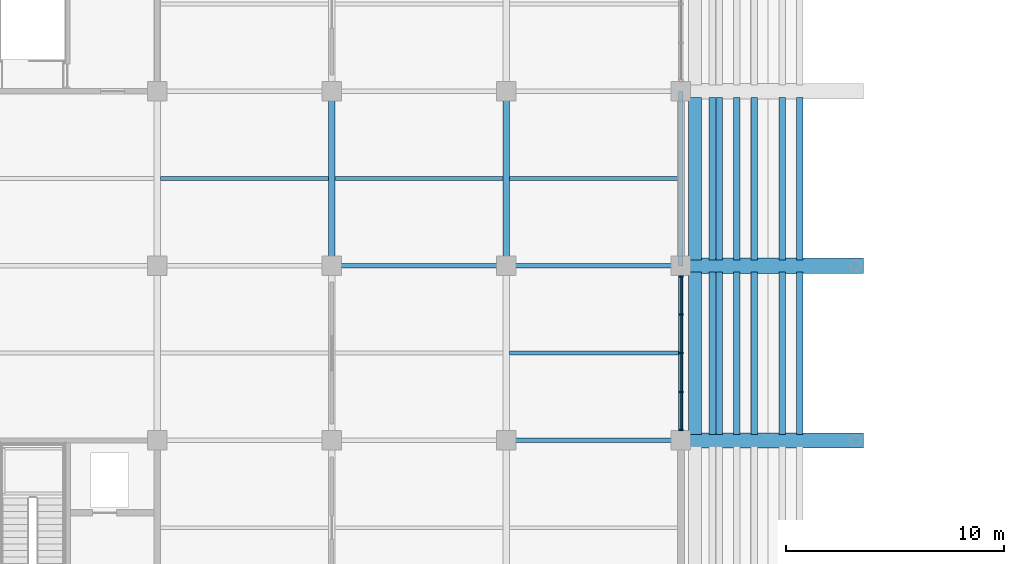
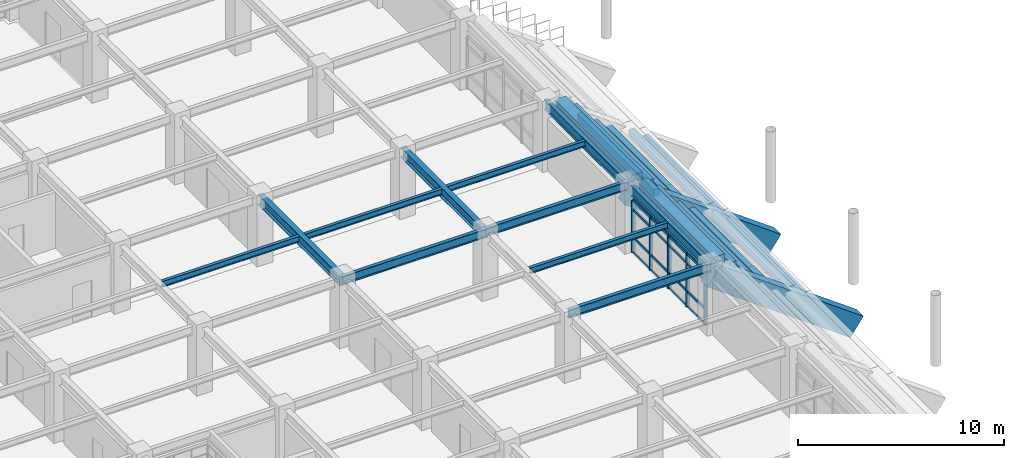
# One storey, part 32 of 118: 27 beams, 21 members, 1 element without a shape of its own.
"""IFC4 building model written with IfcOpenShell, lengths in metres."""

from ifc_helpers import new_model, si_unit, direction, frame, origin, origin_2d, place, context, subcontext, project, spatial, rectangle, i_section, extrude, material, layer, layer_set, material_profile, profile_set, type_object, element, aggregate, save


model = new_model("IFC4")

# Units and contexts
model_context = context("Model", 3, precision=1e-05, world=origin(), true_north=direction((0.0, 1.0)))
body_context = subcontext(model_context, "Body", "Model", "MODEL_VIEW")
ifc_project = project(units=[si_unit("LENGTHUNIT", "METRE"), si_unit("AREAUNIT", "SQUARE_METRE"), si_unit("VOLUMEUNIT", "CUBIC_METRE"), si_unit("PLANEANGLEUNIT", "RADIAN"), si_unit("MASSUNIT", "GRAM", prefix="KILO")], contexts=[model_context])

# Site, building, storey
site_placement = place(None, origin())
site = spatial("IfcSite", under=ifc_project, at=site_placement, CompositionType="ELEMENT")
building_placement = place(site_placement, origin())
building = spatial("IfcBuilding", under=site, at=building_placement, Name="Haebicheon Civic Stadium", CompositionType="ELEMENT")
storey_placement = place(building_placement, frame((0.0, 0.0, 14.39990234375)))
storey = spatial("IfcBuildingStorey", under=building, at=storey_placement, Name="L04", CompositionType="ELEMENT", Elevation=14.39990234375)

# Beams
ifc_material_1 = material(Name="Precast concrete C40/50", Category="concrete")
ifc_material_profile_1 = material_profile(ifc_material_1, rectangle(XDim=0.300048828125, YDim=0.39990234375, at=origin_2d()), Name="PC-LN-300x400")
ifc_profile_set_1 = profile_set([ifc_material_profile_1], Name="Precast concrete C40/50")
beam_type_1 = type_object("IfcBeamType", Name="BM-LN-300x400", PredefinedType="LINTEL", material=ifc_profile_set_1)
for number, where, z_axis, x_axis, name in (
    (1, (69.43994140625, 112.280029296875, -0.10693359375), (0.0, 1.0, 0.0), (-1.0, 0.0, 0.0), "TIER-W-U precast step carrier beam 9.4"),
    (2, (68.639892578125, 112.280029296875, 0.5380859375), (0.0, 1.0, 0.0), (-1.0, 0.0, 0.0), "TIER-W-U precast step carrier beam 9.5"),
    (3, (67.360107421875, 112.280029296875, 1.18212890625), (0.0, 1.0, 0.0), (-1.0, 0.0, 0.0), "TIER-W-U precast step carrier beam 9.6"),
    (4, (66.56005859375, 112.280029296875, 1.8271484375), (0.0, 1.0, 0.0), (-1.0, 0.0, 0.0), "TIER-W-U precast step carrier beam 9.7"),
    (5, (65.760009765625, 112.280029296875, 2.47119140625), (0.0, 1.0, 0.0), (-1.0, 0.0, 0.0), "TIER-W-U precast step carrier beam 9.8"),
    (6, (65.43994140625, 112.280029296875, 3.1162109375), (0.0, 1.0, 0.0), (-1.0, 0.0, 0.0), "TIER-W-U precast step carrier beam 9.9"),
    (7, (69.43994140625, 120.280029296875, -0.10693359375), (0.0, 1.0, 0.0), (-1.0, 0.0, 0.0), "TIER-W-U precast step carrier beam 10.4"),
    (8, (68.639892578125, 120.280029296875, 0.5380859375), (0.0, 1.0, 0.0), (-1.0, 0.0, 0.0), "TIER-W-U precast step carrier beam 10.5"),
    (9, (67.360107421875, 120.280029296875, 1.18212890625), (0.0, 1.0, 0.0), (-1.0, 0.0, 0.0), "TIER-W-U precast step carrier beam 10.6"),
    (10, (66.56005859375, 120.280029296875, 1.8271484375), (0.0, 1.0, 0.0), (-1.0, 0.0, 0.0), "TIER-W-U precast step carrier beam 10.7"),
    (11, (65.760009765625, 120.280029296875, 2.47119140625), (0.0, 1.0, 0.0), (-1.0, 0.0, 0.0), "TIER-W-U precast step carrier beam 10.8"),
    (12, (65.43994140625, 120.280029296875, 3.1162109375), (0.0, 1.0, 0.0), (-1.0, 0.0, 0.0), "TIER-W-U precast step carrier beam 10.9"),
):
    element("IfcBeam", number, at=place(storey_placement, frame(where, z_axis=z_axis, x_axis=x_axis)), inside=storey, type_object=beam_type_1, material=ifc_profile_set_1, Name=name, PredefinedType="LINTEL", context=body_context, shape_type="SweptSolid", body=[
        extrude(rectangle(XDim=0.300048828125, YDim=0.39990234375, at=origin_2d()), origin(), (0.0, 0.0, 1.0), 7.43994140625),
    ])
ifc_material_2 = material(Name="Steel SM355 (S355)", Category="steel")
ifc_material_profile_2 = material_profile(ifc_material_2, i_section(OverallWidth=0.199951171875, OverallDepth=0.5, WebThickness=0.010009765625, FlangeThickness=0.01611328125, at=origin_2d()), Name="H-500x200x10x16")
ifc_profile_set_2 = profile_set([ifc_material_profile_2], Name="Steel SM355 (S355)")
beam_type_2 = type_object("IfcBeamType", Name="BM-ST-H500", PredefinedType="BEAM", material=ifc_profile_set_2)
for number, where, z_axis, x_axis, name in (
    (13, (48.0, 120.0, 3.690185546875), (1.0, 0.0, 0.0), (0.0, 1.0, 0.0), "L04 beam R/7-8"),
    (14, (56.0, 112.0, 3.72998046875), (1.0, 0.0, 0.0), (0.0, 1.0, 0.0), "L04 beam Q/8-9"),
    (15, (56.0, 120.0, 3.72998046875), (1.0, 0.0, 0.0), (0.0, 1.0, 0.0), "L04 beam R/8-9"),
):
    element("IfcBeam", number, at=place(storey_placement, frame(where, z_axis=z_axis, x_axis=x_axis)), inside=storey, type_object=beam_type_2, material=ifc_profile_set_2, Name=name, PredefinedType="BEAM", context=body_context, shape_type="SweptSolid", body=[
        extrude(i_section(OverallWidth=0.199951171875, OverallDepth=0.5, WebThickness=0.010009765625, FlangeThickness=0.01611328125, at=origin_2d()), origin(), (0.0, 0.0, 1.0), 8.0),
    ])
ifc_material_3 = material(Name="Steel SM355 (S355)", Category="steel")
ifc_material_profile_3 = material_profile(ifc_material_3, i_section(OverallWidth=0.300048828125, OverallDepth=0.60009765625, WebThickness=0.011962890625, FlangeThickness=0.02001953125, at=origin_2d()), Name="H-600x300x12x20")
ifc_profile_set_3 = profile_set([ifc_material_profile_3], Name="Steel SM355 (S355)")
beam_type_3 = type_object("IfcBeamType", Name="BM-ST-H600A", PredefinedType="BEAM", material=ifc_profile_set_3)
for number, where, z_axis, x_axis, name in (
    (16, (48.0, 120.0, 3.64013671875), (0.0, 1.0, 0.0), (-1.0, 0.0, 0.0), "L04 girder 7/R-S"),
    (17, (56.0, 120.0, 3.64013671875), (0.0, 1.0, 0.0), (-1.0, 0.0, 0.0), "L04 girder 8/R-S"),
):
    element("IfcBeam", number, at=place(storey_placement, frame(where, z_axis=z_axis, x_axis=x_axis)), inside=storey, type_object=beam_type_3, material=ifc_profile_set_3, Name=name, PredefinedType="BEAM", context=body_context, shape_type="SweptSolid", body=[
        extrude(i_section(OverallWidth=0.300048828125, OverallDepth=0.60009765625, WebThickness=0.011962890625, FlangeThickness=0.02001953125, at=origin_2d()), origin(), (0.0, 0.0, 1.0), 8.0),
    ])
ifc_material_4 = material(Name="Precast concrete C40/50", Category="concrete")
ifc_material_profile_4 = material_profile(ifc_material_4, rectangle(XDim=0.60009765625, YDim=0.85009765625, at=origin_2d()), Name="PC-TB-600x850")
ifc_profile_set_4 = profile_set([ifc_material_profile_4], Name="Precast concrete C40/50")
beam_type_4 = type_object("IfcBeamType", Name="BM-TB-600x850", PredefinedType="T_BEAM", material=ifc_profile_set_4)
for number, where, z_axis, x_axis, name in (
    (18, (64.639892578125, 112.280029296875, 3.53515625), (0.0, 1.0, 0.0), (-1.0, 0.0, 0.0), "TIER-W-U upper tier bench carrier beam 9"),
    (19, (64.639892578125, 120.280029296875, 3.53515625), (0.0, 1.0, 0.0), (-1.0, 0.0, 0.0), "TIER-W-U upper tier bench carrier beam 10"),
):
    element("IfcBeam", number, at=place(storey_placement, frame(where, z_axis=z_axis, x_axis=x_axis)), inside=storey, type_object=beam_type_4, material=ifc_profile_set_4, Name=name, PredefinedType="T_BEAM", context=body_context, shape_type="SweptSolid", body=[
        extrude(rectangle(XDim=0.60009765625, YDim=0.85009765625, at=origin_2d()), origin(), (0.0, 0.0, 1.0), 7.43994140625),
    ])

# Curtain wall, members
ifc_material_5 = material(Name="Anodised aluminium and laminated glass", Category="aluminium")
ifc_layer = layer(ifc_material_5, 0.179931640625, Name="Anodised aluminium and laminated glass")
ifc_layer_set = layer_set([ifc_layer], Name="Anodised aluminium and laminated glass")
curtain_wall_type = type_object("IfcCurtainWallType", Name="CW-7100x3100", PredefinedType="NOTDEFINED", material=ifc_layer_set)
curtain_wall_placement = place(storey_placement, origin())
curtain_wall = element("IfcCurtainWall", 20, at=curtain_wall_placement, inside=storey, type_object=curtain_wall_type, material=ifc_layer_set, Name="L04 unitised curtain wall 121", PredefinedType="NOTDEFINED")
ifc_material_6 = material(Name="Anodised aluminium 6063-T6", Category="aluminium")
ifc_material_profile_5 = material_profile(ifc_material_6, rectangle(XDim=0.070068359375, YDim=0.199951171875, at=origin_2d()), Name="ALU-MULL-70x200")
ifc_profile_set_5 = profile_set([ifc_material_profile_5], Name="Anodised aluminium 6063-T6")
member_type_1 = type_object("IfcMemberType", Name="CWM-200x70", PredefinedType="MULLION", material=ifc_profile_set_5)
member_1_placement = place(storey_placement, frame((64.0, 112.485107421875, 0.0), z_axis=(0.0, 0.0, 1.0), x_axis=(0.0, 1.0, 0.0)))
member_1 = element("IfcMember", 21, at=member_1_placement, type_object=member_type_1, material=ifc_profile_set_5, Name="CW-L04-121 vertical mullion 1", PredefinedType="MULLION", context=body_context, shape_type="SweptSolid", body=[
    extrude(rectangle(XDim=0.070068359375, YDim=0.199951171875, at=origin_2d()), origin(), (0.0, 0.0, 1.0), 3.10009765625),
])
member_2_placement = place(storey_placement, frame((64.0, 114.22509765625, 0.0), z_axis=(0.0, 0.0, 1.0), x_axis=(0.0, 1.0, 0.0)))
member_2 = element("IfcMember", 22, at=member_2_placement, type_object=member_type_1, material=ifc_profile_set_5, Name="CW-L04-121 vertical mullion 2", PredefinedType="MULLION", context=body_context, shape_type="SweptSolid", body=[
    extrude(rectangle(XDim=0.070068359375, YDim=0.199951171875, at=origin_2d()), origin(), (0.0, 0.0, 1.0), 3.10009765625),
])
member_3_placement = place(storey_placement, frame((64.0, 116.0, 0.0), z_axis=(0.0, 0.0, 1.0), x_axis=(0.0, 1.0, 0.0)))
member_3 = element("IfcMember", 23, at=member_3_placement, type_object=member_type_1, material=ifc_profile_set_5, Name="CW-L04-121 vertical mullion 3", PredefinedType="MULLION", context=body_context, shape_type="SweptSolid", body=[
    extrude(rectangle(XDim=0.070068359375, YDim=0.199951171875, at=origin_2d()), origin(), (0.0, 0.0, 1.0), 3.10009765625),
])
member_4_placement = place(storey_placement, frame((64.0, 117.77490234375, 0.0), z_axis=(0.0, 0.0, 1.0), x_axis=(0.0, 1.0, 0.0)))
member_4 = element("IfcMember", 24, at=member_4_placement, type_object=member_type_1, material=ifc_profile_set_5, Name="CW-L04-121 vertical mullion 4", PredefinedType="MULLION", context=body_context, shape_type="SweptSolid", body=[
    extrude(rectangle(XDim=0.070068359375, YDim=0.199951171875, at=origin_2d()), origin(), (0.0, 0.0, 1.0), 3.10009765625),
])
member_5_placement = place(storey_placement, frame((64.0, 119.514892578125, 0.0), z_axis=(0.0, 0.0, 1.0), x_axis=(0.0, 1.0, 0.0)))
member_5 = element("IfcMember", 25, at=member_5_placement, type_object=member_type_1, material=ifc_profile_set_5, Name="CW-L04-121 vertical mullion 5", PredefinedType="MULLION", context=body_context, shape_type="SweptSolid", body=[
    extrude(rectangle(XDim=0.070068359375, YDim=0.199951171875, at=origin_2d()), origin(), (0.0, 0.0, 1.0), 3.10009765625),
])
ifc_material_7 = material(Name="Anodised aluminium 6063-T6", Category="aluminium")
ifc_material_profile_6 = material_profile(ifc_material_7, rectangle(XDim=0.070068359375, YDim=0.14990234375, at=origin_2d()), Name="ALU-TRAN-70x150")
ifc_profile_set_6 = profile_set([ifc_material_profile_6], Name="Anodised aluminium 6063-T6")
member_type_2 = type_object("IfcMemberType", Name="CWT-150x70", PredefinedType="NOTDEFINED", material=ifc_profile_set_6)
member_6_placement = place(storey_placement, frame((64.0, 112.52001953125, 0.0), z_axis=(0.0, 1.0, 0.0), x_axis=(-1.0, 0.0, 0.0)))
member_6 = element("IfcMember", 26, at=member_6_placement, type_object=member_type_2, material=ifc_profile_set_6, Name="CW-L04-121 horizontal transom 1.1", ObjectType="TRANSOM", PredefinedType="USERDEFINED", context=body_context, shape_type="SweptSolid", body=[
    extrude(rectangle(XDim=0.070068359375, YDim=0.14990234375, at=origin_2d()), origin(), (0.0, 0.0, 1.0), 1.669921875),
])
member_7_placement = place(storey_placement, frame((64.0, 112.52001953125, 0.900146484375), z_axis=(0.0, 1.0, 0.0), x_axis=(-1.0, 0.0, 0.0)))
member_7 = element("IfcMember", 27, at=member_7_placement, type_object=member_type_2, material=ifc_profile_set_6, Name="CW-L04-121 horizontal transom 1.2", ObjectType="TRANSOM", PredefinedType="USERDEFINED", context=body_context, shape_type="SweptSolid", body=[
    extrude(rectangle(XDim=0.070068359375, YDim=0.14990234375, at=origin_2d()), origin(), (0.0, 0.0, 1.0), 1.669921875),
])
member_8_placement = place(storey_placement, frame((64.0, 112.52001953125, 2.550048828125), z_axis=(0.0, 1.0, 0.0), x_axis=(-1.0, 0.0, 0.0)))
member_8 = element("IfcMember", 28, at=member_8_placement, type_object=member_type_2, material=ifc_profile_set_6, Name="CW-L04-121 horizontal transom 1.3", ObjectType="TRANSOM", PredefinedType="USERDEFINED", context=body_context, shape_type="SweptSolid", body=[
    extrude(rectangle(XDim=0.070068359375, YDim=0.14990234375, at=origin_2d()), origin(), (0.0, 0.0, 1.0), 1.669921875),
])
member_9_placement = place(storey_placement, frame((64.0, 112.52001953125, 3.10009765625), z_axis=(0.0, 1.0, 0.0), x_axis=(-1.0, 0.0, 0.0)))
member_9 = element("IfcMember", 29, at=member_9_placement, type_object=member_type_2, material=ifc_profile_set_6, Name="CW-L04-121 horizontal transom 1.4", ObjectType="TRANSOM", PredefinedType="USERDEFINED", context=body_context, shape_type="SweptSolid", body=[
    extrude(rectangle(XDim=0.070068359375, YDim=0.14990234375, at=origin_2d()), origin(), (0.0, 0.0, 1.0), 1.669921875),
])
member_10_placement = place(storey_placement, frame((64.0, 114.260009765625, 0.0), z_axis=(0.0, 1.0, 0.0), x_axis=(-1.0, 0.0, 0.0)))
member_10 = element("IfcMember", 30, at=member_10_placement, type_object=member_type_2, material=ifc_profile_set_6, Name="CW-L04-121 horizontal transom 2.1", ObjectType="TRANSOM", PredefinedType="USERDEFINED", context=body_context, shape_type="SweptSolid", body=[
    extrude(rectangle(XDim=0.070068359375, YDim=0.14990234375, at=origin_2d()), origin(), (0.0, 0.0, 1.0), 1.705078125),
])
member_11_placement = place(storey_placement, frame((64.0, 114.260009765625, 0.900146484375), z_axis=(0.0, 1.0, 0.0), x_axis=(-1.0, 0.0, 0.0)))
member_11 = element("IfcMember", 31, at=member_11_placement, type_object=member_type_2, material=ifc_profile_set_6, Name="CW-L04-121 horizontal transom 2.2", ObjectType="TRANSOM", PredefinedType="USERDEFINED", context=body_context, shape_type="SweptSolid", body=[
    extrude(rectangle(XDim=0.070068359375, YDim=0.14990234375, at=origin_2d()), origin(), (0.0, 0.0, 1.0), 1.705078125),
])
member_12_placement = place(storey_placement, frame((64.0, 114.260009765625, 2.550048828125), z_axis=(0.0, 1.0, 0.0), x_axis=(-1.0, 0.0, 0.0)))
member_12 = element("IfcMember", 32, at=member_12_placement, type_object=member_type_2, material=ifc_profile_set_6, Name="CW-L04-121 horizontal transom 2.3", ObjectType="TRANSOM", PredefinedType="USERDEFINED", context=body_context, shape_type="SweptSolid", body=[
    extrude(rectangle(XDim=0.070068359375, YDim=0.14990234375, at=origin_2d()), origin(), (0.0, 0.0, 1.0), 1.705078125),
])
member_13_placement = place(storey_placement, frame((64.0, 114.260009765625, 3.10009765625), z_axis=(0.0, 1.0, 0.0), x_axis=(-1.0, 0.0, 0.0)))
member_13 = element("IfcMember", 33, at=member_13_placement, type_object=member_type_2, material=ifc_profile_set_6, Name="CW-L04-121 horizontal transom 2.4", ObjectType="TRANSOM", PredefinedType="USERDEFINED", context=body_context, shape_type="SweptSolid", body=[
    extrude(rectangle(XDim=0.070068359375, YDim=0.14990234375, at=origin_2d()), origin(), (0.0, 0.0, 1.0), 1.705078125),
])
member_14_placement = place(storey_placement, frame((64.0, 116.034912109375, 0.0), z_axis=(0.0, 1.0, 0.0), x_axis=(-1.0, 0.0, 0.0)))
member_14 = element("IfcMember", 34, at=member_14_placement, type_object=member_type_2, material=ifc_profile_set_6, Name="CW-L04-121 horizontal transom 3.1", ObjectType="TRANSOM", PredefinedType="USERDEFINED", context=body_context, shape_type="SweptSolid", body=[
    extrude(rectangle(XDim=0.070068359375, YDim=0.14990234375, at=origin_2d()), origin(), (0.0, 0.0, 1.0), 1.705078125),
])
member_15_placement = place(storey_placement, frame((64.0, 116.034912109375, 0.900146484375), z_axis=(0.0, 1.0, 0.0), x_axis=(-1.0, 0.0, 0.0)))
member_15 = element("IfcMember", 35, at=member_15_placement, type_object=member_type_2, material=ifc_profile_set_6, Name="CW-L04-121 horizontal transom 3.2", ObjectType="TRANSOM", PredefinedType="USERDEFINED", context=body_context, shape_type="SweptSolid", body=[
    extrude(rectangle(XDim=0.070068359375, YDim=0.14990234375, at=origin_2d()), origin(), (0.0, 0.0, 1.0), 1.705078125),
])
member_16_placement = place(storey_placement, frame((64.0, 116.034912109375, 2.550048828125), z_axis=(0.0, 1.0, 0.0), x_axis=(-1.0, 0.0, 0.0)))
member_16 = element("IfcMember", 36, at=member_16_placement, type_object=member_type_2, material=ifc_profile_set_6, Name="CW-L04-121 horizontal transom 3.3", ObjectType="TRANSOM", PredefinedType="USERDEFINED", context=body_context, shape_type="SweptSolid", body=[
    extrude(rectangle(XDim=0.070068359375, YDim=0.14990234375, at=origin_2d()), origin(), (0.0, 0.0, 1.0), 1.705078125),
])
member_17_placement = place(storey_placement, frame((64.0, 116.034912109375, 3.10009765625), z_axis=(0.0, 1.0, 0.0), x_axis=(-1.0, 0.0, 0.0)))
member_17 = element("IfcMember", 37, at=member_17_placement, type_object=member_type_2, material=ifc_profile_set_6, Name="CW-L04-121 horizontal transom 3.4", ObjectType="TRANSOM", PredefinedType="USERDEFINED", context=body_context, shape_type="SweptSolid", body=[
    extrude(rectangle(XDim=0.070068359375, YDim=0.14990234375, at=origin_2d()), origin(), (0.0, 0.0, 1.0), 1.705078125),
])
member_18_placement = place(storey_placement, frame((64.0, 117.81005859375, 0.0), z_axis=(0.0, 1.0, 0.0), x_axis=(-1.0, 0.0, 0.0)))
member_18 = element("IfcMember", 38, at=member_18_placement, type_object=member_type_2, material=ifc_profile_set_6, Name="CW-L04-121 horizontal transom 4.1", ObjectType="TRANSOM", PredefinedType="USERDEFINED", context=body_context, shape_type="SweptSolid", body=[
    extrude(rectangle(XDim=0.070068359375, YDim=0.14990234375, at=origin_2d()), origin(), (0.0, 0.0, 1.0), 1.669921875),
])
member_19_placement = place(storey_placement, frame((64.0, 117.81005859375, 0.900146484375), z_axis=(0.0, 1.0, 0.0), x_axis=(-1.0, 0.0, 0.0)))
member_19 = element("IfcMember", 39, at=member_19_placement, type_object=member_type_2, material=ifc_profile_set_6, Name="CW-L04-121 horizontal transom 4.2", ObjectType="TRANSOM", PredefinedType="USERDEFINED", context=body_context, shape_type="SweptSolid", body=[
    extrude(rectangle(XDim=0.070068359375, YDim=0.14990234375, at=origin_2d()), origin(), (0.0, 0.0, 1.0), 1.669921875),
])
member_20_placement = place(storey_placement, frame((64.0, 117.81005859375, 2.550048828125), z_axis=(0.0, 1.0, 0.0), x_axis=(-1.0, 0.0, 0.0)))
member_20 = element("IfcMember", 40, at=member_20_placement, type_object=member_type_2, material=ifc_profile_set_6, Name="CW-L04-121 horizontal transom 4.3", ObjectType="TRANSOM", PredefinedType="USERDEFINED", context=body_context, shape_type="SweptSolid", body=[
    extrude(rectangle(XDim=0.070068359375, YDim=0.14990234375, at=origin_2d()), origin(), (0.0, 0.0, 1.0), 1.669921875),
])
member_21_placement = place(storey_placement, frame((64.0, 117.81005859375, 3.10009765625), z_axis=(0.0, 1.0, 0.0), x_axis=(-1.0, 0.0, 0.0)))
member_21 = element("IfcMember", 41, at=member_21_placement, type_object=member_type_2, material=ifc_profile_set_6, Name="CW-L04-121 horizontal transom 4.4", ObjectType="TRANSOM", PredefinedType="USERDEFINED", context=body_context, shape_type="SweptSolid", body=[
    extrude(rectangle(XDim=0.070068359375, YDim=0.14990234375, at=origin_2d()), origin(), (0.0, 0.0, 1.0), 1.669921875),
])
aggregate(curtain_wall, [member_1, member_2, member_3, member_4, member_5, member_6, member_7, member_8, member_9, member_10, member_11, member_12, member_13, member_14, member_15, member_16, member_17, member_18, member_19, member_20, member_21])

# Beams
ifc_material_8 = material(Name="Steel SM355 (S355)", Category="steel")
ifc_material_profile_7 = material_profile(ifc_material_8, i_section(OverallWidth=0.175048828125, OverallDepth=0.35009765625, WebThickness=0.007080078125, FlangeThickness=0.010986328125, at=origin_2d()), Name="H-350x175x7x11")
ifc_profile_set_7 = profile_set([ifc_material_profile_7], Name="Steel SM355 (S355)")
beam_type_5 = type_object("IfcBeamType", Name="JST-ST-H350", PredefinedType="JOIST", material=ifc_profile_set_7)
for number, where, z_axis, x_axis, name in (
    (42, (40.14990234375, 124.0, 3.76513671875), (1.0, 0.0, 0.0), (0.0, 1.0, 0.0), "L04 secondary joist 05-15"),
    (43, (48.14990234375, 124.0, 3.76513671875), (1.0, 0.0, 0.0), (0.0, 1.0, 0.0), "L04 secondary joist 06-15"),
):
    element("IfcBeam", number, at=place(storey_placement, frame(where, z_axis=z_axis, x_axis=x_axis)), inside=storey, type_object=beam_type_5, material=ifc_profile_set_7, Name=name, PredefinedType="JOIST", context=body_context, shape_type="SweptSolid", body=[
        extrude(i_section(OverallWidth=0.175048828125, OverallDepth=0.35009765625, WebThickness=0.007080078125, FlangeThickness=0.010986328125, at=origin_2d()), origin(), (0.0, 0.0, 1.0), 7.7001953125),
    ])
for number, where, z_axis, x_axis, name in (
    (44, (56.14990234375, 116.0, 3.80517578125), (1.0, 0.0, 0.0), (0.0, 1.0, 0.0), "L04 secondary joist 07-14"),
    (45, (56.14990234375, 124.0, 3.80517578125), (1.0, 0.0, 0.0), (0.0, 1.0, 0.0), "L04 secondary joist 07-15"),
):
    element("IfcBeam", number, at=place(storey_placement, frame(where, z_axis=z_axis, x_axis=x_axis)), inside=storey, type_object=beam_type_5, material=ifc_profile_set_7, Name=name, PredefinedType="JOIST", context=body_context, shape_type="SweptSolid", body=[
        extrude(i_section(OverallWidth=0.175048828125, OverallDepth=0.35009765625, WebThickness=0.007080078125, FlangeThickness=0.010986328125, at=origin_2d()), origin(), (0.0, 0.0, 1.0), 7.75),
    ])
ifc_material_9 = material(Name="Precast concrete C40/50", Category="concrete")
ifc_material_profile_8 = material_profile(ifc_material_9, rectangle(XDim=0.699951171875, YDim=1.25, at=origin_2d()), Name="PC-RK-700x1250")
ifc_profile_set_8 = profile_set([ifc_material_profile_8], Name="Precast concrete C40/50")
beam_type_6 = type_object("IfcBeamType", Name="RK-PC-700x1250", PredefinedType="USERDEFINED", material=ifc_profile_set_8)
for number, where, z_axis, x_axis, name in (
    (46, (72.0, 112.0, -2.46484375), (-0.809608095134, 0.0, 0.586970810428), (0.0, -1.0, 0.0), "TIER-W-U inclined precast raker beam 9"),
    (47, (72.0, 120.0, -2.46484375), (-0.809608095134, 0.0, 0.586970810428), (0.0, -1.0, 0.0), "TIER-W-U inclined precast raker beam 10"),
):
    element("IfcBeam", number, at=place(storey_placement, frame(where, z_axis=z_axis, x_axis=x_axis)), inside=storey, type_object=beam_type_6, material=ifc_profile_set_8, Name=name, ObjectType="RAKER BEAM", PredefinedType="USERDEFINED", context=body_context, shape_type="SweptSolid", body=[
        extrude(rectangle(XDim=0.699951171875, YDim=1.25, at=origin_2d()), origin(), (0.0, 0.0, 1.0), 9.88134765625),
    ])
ifc_material_10 = material(Name="Steel SM355 (S355)", Category="steel")
ifc_material_profile_9 = material_profile(ifc_material_10, i_section(OverallWidth=0.199951171875, OverallDepth=0.60009765625, WebThickness=0.010986328125, FlangeThickness=0.01708984375, at=origin_2d()), Name="H-600x200x11x17")
ifc_profile_set_9 = profile_set([ifc_material_profile_9], Name="Steel SM355 (S355)")
beam_type_7 = type_object("IfcBeamType", Name="SPD-ST-H600B", PredefinedType="SPANDREL", material=ifc_profile_set_9)
for number, where, z_axis, x_axis, name in (
    (48, (64.0, 112.0, 3.656005859375), (0.0, 1.0, 0.0), (-1.0, 0.0, 0.0), "L04 girder 9/Q-R"),
    (49, (64.0, 120.0, 3.656005859375), (0.0, 1.0, 0.0), (-1.0, 0.0, 0.0), "L04 girder 9/R-S"),
):
    element("IfcBeam", number, at=place(storey_placement, frame(where, z_axis=z_axis, x_axis=x_axis)), inside=storey, type_object=beam_type_7, material=ifc_profile_set_9, Name=name, PredefinedType="SPANDREL", context=body_context, shape_type="SweptSolid", body=[
        extrude(i_section(OverallWidth=0.199951171875, OverallDepth=0.60009765625, WebThickness=0.010986328125, FlangeThickness=0.01708984375, at=origin_2d()), origin(), (0.0, 0.0, 1.0), 8.0),
    ])

save(model, "model.ifc")
